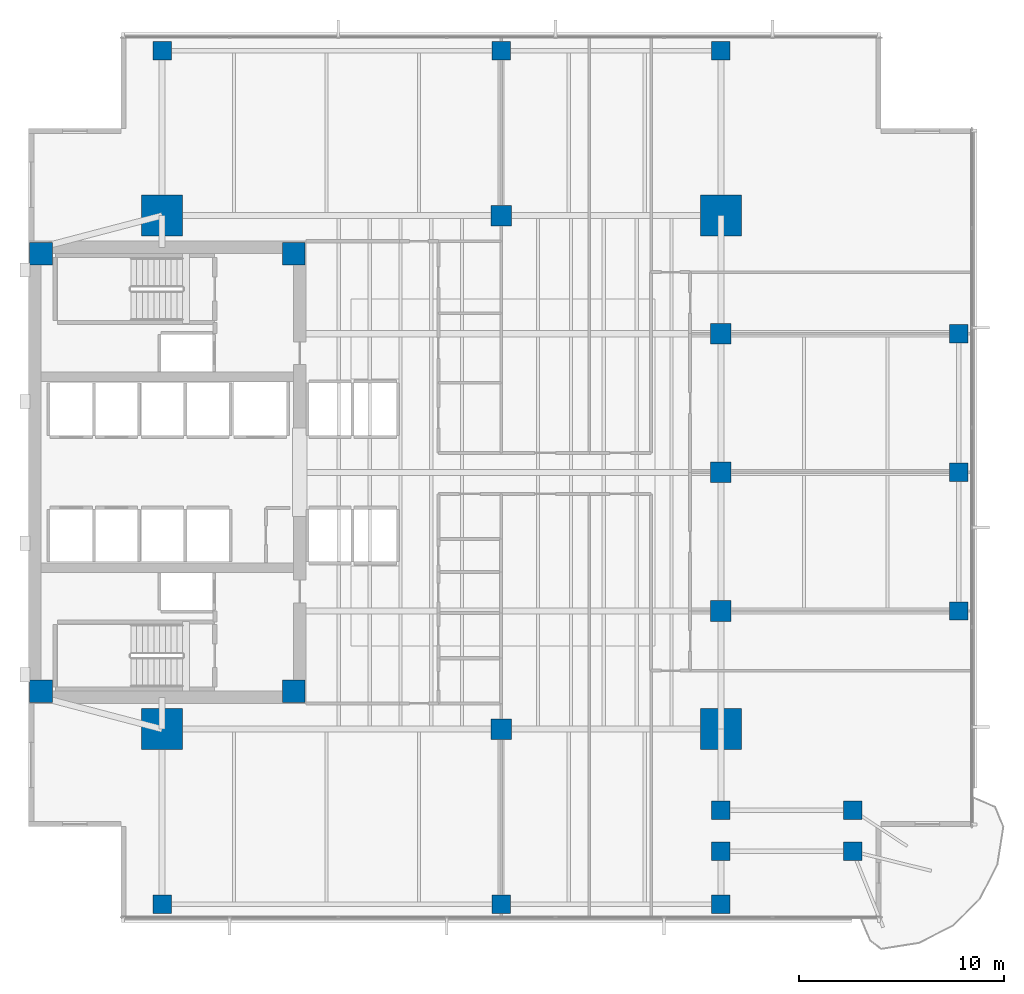
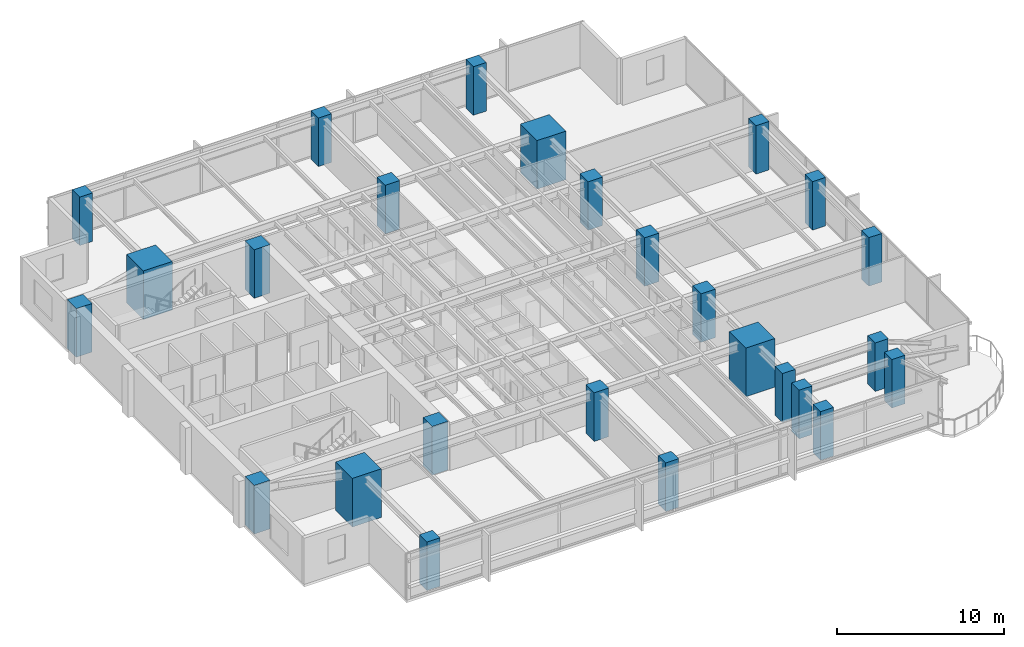
# One storey, part 1 of 14: 26 columns.
"""IFC4 building model written with IfcOpenShell, lengths in metres."""

from ifc_helpers import new_model, si_unit, direction, frame, origin, origin_2d, place, context, subcontext, project, spatial, rectangle, extrude, material, material_profile, profile_set, type_object, element, save


model = new_model("IFC4")

# Units and contexts
model_context = context("Model", 3, precision=1e-05, world=origin(), true_north=direction((0.0, 1.0)))
body_context = subcontext(model_context, "Body", "Model", "MODEL_VIEW")
ifc_project = project(units=[si_unit("LENGTHUNIT", "METRE"), si_unit("AREAUNIT", "SQUARE_METRE"), si_unit("VOLUMEUNIT", "CUBIC_METRE"), si_unit("PLANEANGLEUNIT", "RADIAN"), si_unit("MASSUNIT", "GRAM", prefix="KILO")], contexts=[model_context])

# Site, building, storey
site_placement = place(None, origin())
site = spatial("IfcSite", under=ifc_project, at=site_placement, CompositionType="ELEMENT")
building_placement = place(site_placement, origin())
building = spatial("IfcBuilding", under=site, at=building_placement, Name="Kinhvarn Gate Tower", CompositionType="ELEMENT")
storey_placement = place(building_placement, frame((0.0, 0.0, 102.25)))
storey = spatial("IfcBuildingStorey", under=building, at=storey_placement, Name="L26", CompositionType="ELEMENT", Elevation=102.25)

# Columns
ifc_material = material(Name="Concrete C60/75", Category="concrete")
ifc_material_profile_1 = material_profile(ifc_material, rectangle(XDim=2.0, YDim=2.0, at=origin_2d()), Name="RC 2000x2000")
ifc_profile_set_1 = profile_set([ifc_material_profile_1], Name="Concrete C60/75")
column_type_1 = type_object("IfcColumnType", Name="COL-MC-2000", PredefinedType="COLUMN", material=ifc_profile_set_1)
for number, where, z_axis, x_axis, name in (
    (1, (11.0, 12.75, 0.0), (0.0, 0.0, 1.0), (1.0, 0.0, 0.0), "Column MC1-L26 (MC-20)"),
    (2, (11.0, 37.75, 0.0), (0.0, 0.0, 1.0), (1.0, 0.0, 0.0), "Column MC4-L26 (MC-20)"),
    (3, (38.199951171875, 12.75, 0.0), (0.0, 0.0, 1.0), (1.0, 0.0, 0.0), "Column MC2-L26 (MC-20)"),
    (4, (38.199951171875, 37.75, 0.0), (0.0, 0.0, 1.0), (1.0, 0.0, 0.0), "Column MC3-L26 (MC-20)"),
):
    element("IfcColumn", number, at=place(storey_placement, frame(where, z_axis=z_axis, x_axis=x_axis)), inside=storey, type_object=column_type_1, Name=name, PredefinedType="COLUMN", context=body_context, shape_type="SweptSolid", body=[
        extrude(rectangle(XDim=2.0, YDim=2.0, at=origin_2d()), origin(), (0.0, 0.0, 1.0), 3.550048828125),
    ])
ifc_material_profile_2 = material_profile(ifc_material, rectangle(XDim=1.0, YDim=1.0, at=origin_2d()), Name="RC 1000x1000")
ifc_profile_set_2 = profile_set([ifc_material_profile_2], Name="Concrete C60/75")
column_type_2 = type_object("IfcColumnType", Name="COL-RC-1000", PredefinedType="COLUMN", material=ifc_profile_set_2)
for number, where, z_axis, x_axis, name in (
    (5, (27.5, 12.75, 0.0), (0.0, 0.0, 1.0), (1.0, 0.0, 0.0), "Column SP27-S-L26 (C-100)"),
    (6, (27.5, 37.75, 0.0), (0.0, 0.0, 1.0), (1.0, 0.0, 0.0), "Column SP27-N-L26 (C-100)"),
    (7, (38.199951171875, 18.5, 0.0), (0.0, 0.0, 1.0), (1.0, 0.0, 0.0), "Column SP38-E1-L26 (C-100)"),
    (8, (38.199951171875, 25.25, 0.0), (0.0, 0.0, 1.0), (1.0, 0.0, 0.0), "Column SP38-E2-L26 (C-100)"),
    (9, (38.199951171875, 32.0, 0.0), (0.0, 0.0, 1.0), (1.0, 0.0, 0.0), "Column SP38-E3-L26 (C-100)"),
):
    element("IfcColumn", number, at=place(storey_placement, frame(where, z_axis=z_axis, x_axis=x_axis)), inside=storey, type_object=column_type_2, Name=name, PredefinedType="COLUMN", context=body_context, shape_type="SweptSolid", body=[
        extrude(rectangle(XDim=1.0, YDim=1.0, at=origin_2d()), origin(), (0.0, 0.0, 1.0), 3.550048828125),
    ])
ifc_material_profile_3 = material_profile(ifc_material, rectangle(XDim=0.89990234375, YDim=0.89990234375, at=origin_2d()), Name="RC 900x900")
ifc_profile_set_3 = profile_set([ifc_material_profile_3], Name="Concrete C60/75")
column_type_3 = type_object("IfcColumnType", Name="COL-RC-900", PredefinedType="COLUMN", material=ifc_profile_set_3)
for number, where, z_axis, x_axis, name in (
    (10, (38.199951171875, 6.800048828125, 0.0), (0.0, 0.0, 1.0), (1.0, 0.0, 0.0), "Column CS-ANC68-L26 (C-090)"),
    (11, (38.199951171875, 8.800048828125, 0.0), (0.0, 0.0, 1.0), (1.0, 0.0, 0.0), "Column CS-ANC88-L26 (C-090)"),
    (12, (44.6201171875, 6.800048828125, 0.0), (0.0, 0.0, 1.0), (1.0, 0.0, 0.0), "Column CS-SE2-L26 (C-090)"),
    (13, (44.6201171875, 8.800048828125, 0.0), (0.0, 0.0, 1.0), (1.0, 0.0, 0.0), "Column CS-SE2B-L26 (C-090)"),
    (14, (49.780029296875, 18.5, 0.0), (0.0, 0.0, 1.0), (1.0, 0.0, 0.0), "Column CE-1-L26 (C-090)"),
    (15, (49.780029296875, 25.25, 0.0), (0.0, 0.0, 1.0), (1.0, 0.0, 0.0), "Column CE-2-L26 (C-090)"),
    (16, (49.780029296875, 32.0, 0.0), (0.0, 0.0, 1.0), (1.0, 0.0, 0.0), "Column CE-3-L26 (C-090)"),
    (17, (11.0, 4.219970703125, 0.0), (0.0, 0.0, 1.0), (1.0, 0.0, 0.0), "Column CS-0-L26 (C-090)"),
    (18, (27.5, 4.219970703125, 0.0), (0.0, 0.0, 1.0), (1.0, 0.0, 0.0), "Column CS-1-L26 (C-090)"),
    (19, (38.199951171875, 4.219970703125, 0.0), (0.0, 0.0, 1.0), (1.0, 0.0, 0.0), "Column CS-2-L26 (C-090)"),
    (20, (11.0, 45.780029296875, 0.0), (0.0, 0.0, 1.0), (1.0, 0.0, 0.0), "Column CN-0-L26 (C-090)"),
    (21, (27.5, 45.780029296875, 0.0), (0.0, 0.0, 1.0), (1.0, 0.0, 0.0), "Column CN-1-L26 (C-090)"),
    (22, (38.199951171875, 45.780029296875, 0.0), (0.0, 0.0, 1.0), (1.0, 0.0, 0.0), "Column CN-2-L26 (C-090)"),
):
    element("IfcColumn", number, at=place(storey_placement, frame(where, z_axis=z_axis, x_axis=x_axis)), inside=storey, type_object=column_type_3, Name=name, PredefinedType="COLUMN", context=body_context, shape_type="SweptSolid", body=[
        extrude(rectangle(XDim=0.89990234375, YDim=0.89990234375, at=origin_2d()), origin(), (0.0, 0.0, 1.0), 3.550048828125),
    ])
ifc_material_profile_4 = material_profile(ifc_material, rectangle(XDim=1.10009765625, YDim=1.10009765625, at=origin_2d()), Name="RC 1100x1100")
ifc_profile_set_4 = profile_set([ifc_material_profile_4], Name="Concrete C60/75")
column_type_4 = type_object("IfcColumnType", Name="PIL-RC-1100", PredefinedType="PILASTER", material=ifc_profile_set_4)
for number, where, z_axis, x_axis, name in (
    (23, (5.10009765625, 14.60009765625, 0.0), (0.0, 0.0, 1.0), (1.0, 0.0, 0.0), "Column CC-SW-L26 (CP-110)"),
    (24, (5.10009765625, 35.89990234375, 0.0), (0.0, 0.0, 1.0), (1.0, 0.0, 0.0), "Column CC-NW-L26 (CP-110)"),
    (25, (17.39990234375, 14.60009765625, 0.0), (0.0, 0.0, 1.0), (1.0, 0.0, 0.0), "Column CC-SE-L26 (CP-110)"),
    (26, (17.39990234375, 35.89990234375, 0.0), (0.0, 0.0, 1.0), (1.0, 0.0, 0.0), "Column CC-NE-L26 (CP-110)"),
):
    element("IfcColumn", number, at=place(storey_placement, frame(where, z_axis=z_axis, x_axis=x_axis)), inside=storey, type_object=column_type_4, Name=name, PredefinedType="PILASTER", context=body_context, shape_type="SweptSolid", body=[
        extrude(rectangle(XDim=1.10009765625, YDim=1.10009765625, at=origin_2d()), origin(), (0.0, 0.0, 1.0), 3.550048828125),
    ])

save(model, "model.ifc")
